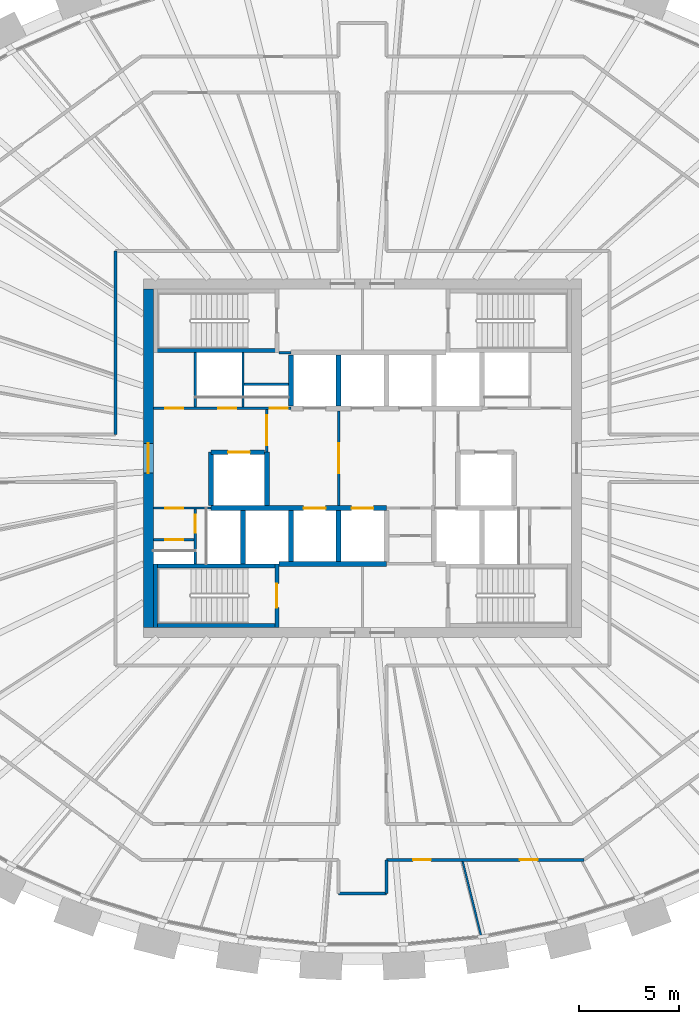
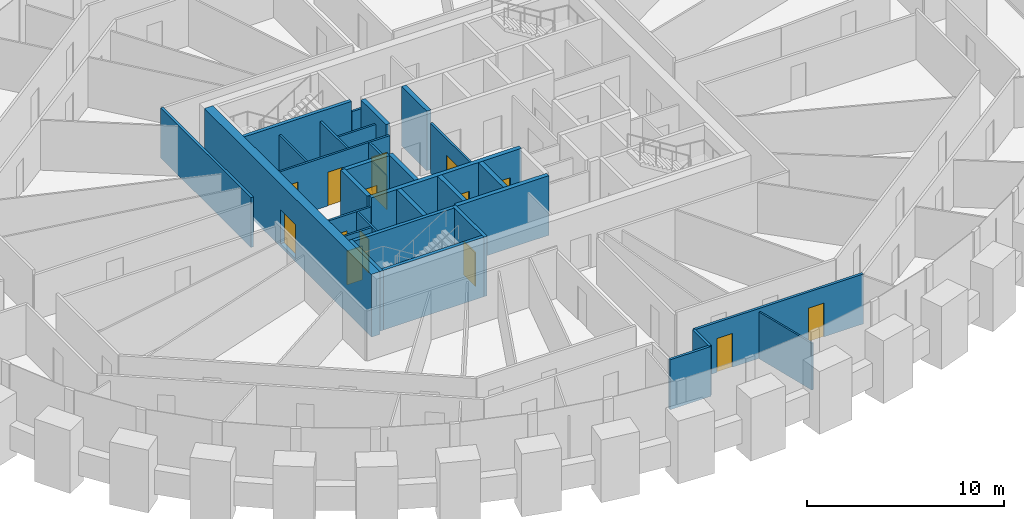
# One storey, part 7 of 12: 31 walls, 15 doors, 15 openings.
"""IFC4 building model written with IfcOpenShell, lengths in metres."""

from ifc_helpers import new_model, si_unit, direction, frame, frame_2d, origin, place, context, subcontext, project, spatial, rectangle, extrude, source, transform, mapped, material, layer, layer_set, type_object, element, fill, save


model = new_model("IFC4")

# Units and contexts
model_context = context("Model", 3, precision=1e-05, world=origin(), true_north=direction((0.0, 1.0)))
body_context = subcontext(model_context, "Body", "Model", "MODEL_VIEW")
ifc_project = project(units=[si_unit("LENGTHUNIT", "METRE"), si_unit("AREAUNIT", "SQUARE_METRE"), si_unit("VOLUMEUNIT", "CUBIC_METRE"), si_unit("PLANEANGLEUNIT", "RADIAN"), si_unit("MASSUNIT", "GRAM", prefix="KILO")], contexts=[model_context])

# Site, building, storey
site_placement = place(None, origin())
site = spatial("IfcSite", under=ifc_project, at=site_placement, CompositionType="ELEMENT")
building_placement = place(site_placement, origin())
building = spatial("IfcBuilding", under=site, at=building_placement, Name="Embergate Tower", CompositionType="ELEMENT")
storey_placement = place(building_placement, frame((0.0, 0.0, 261.699951171875)))
storey = spatial("IfcBuildingStorey", under=building, at=storey_placement, Name="L60", CompositionType="ELEMENT", Elevation=261.699951171875)

# Wall, opening, door
ifc_material_1 = material(Name="Concrete C50", Category="concrete")
ifc_layer_1 = layer(ifc_material_1, 0.5)
ifc_layer_set_1 = layer_set([ifc_layer_1], Name="Concrete C50")
wall_type_1 = type_object("IfcWallType", Name="Core outer wall C50 500", PredefinedType="SHEAR", material=ifc_layer_set_1)
shared_shape_1 = source(origin(), body_context, "Body", "SweptSolid", [
    extrude(rectangle(XDim=17.0, YDim=0.5, at=frame_2d((8.5, 0.0))), origin(), (0.0, 0.0, 1.0), 3.89990234375),
])
wall_1_placement = place(storey_placement, frame((-10.75, -8.5, -0.199951171875), z_axis=(0.0, 0.0, 1.0), x_axis=(0.0, 1.0, 0.0)))
wall_1 = element("IfcWall", 1, at=wall_1_placement, inside=storey, type_object=wall_type_1, Name="CW-L60-W", PredefinedType="SHEAR", context=body_context, shape_type="MappedRepresentation", body=[
    mapped(shared_shape_1, transform((0.0, 0.0, 0.0))),
])
shared_shape_2 = source(origin(), body_context, "Body", "SweptSolid", [
    extrude(rectangle(XDim=1.5, YDim=2.10009765625, at=frame_2d((0.75, 1.050048828125))), frame((0.0, 0.260009765625, 0.0), z_axis=(0.0, -1.0, 0.0), x_axis=(1.0, 0.0, 0.0)), (0.0, 0.0, 1.0), 0.52001953125),
])
opening_1_placement = place(wall_1_placement, frame((7.75, 0.0, 0.199951171875)))
opening_1 = element("IfcOpeningElement", 2, at=opening_1_placement, cuts=wall_1, Name="Opening IF-3", PredefinedType="OPENING", context=body_context, shape_type="MappedRepresentation", body=[
    mapped(shared_shape_2, transform((0.0, 0.0, 0.0))),
])
ifc_material_2 = material(Name="Lobby fire door pair 1500")
door_type_1 = type_object("IfcDoorType", Name="Lobby fire door pair 1500", OperationType="DOUBLE_DOOR_SINGLE_SWING", PredefinedType="DOOR", material=ifc_material_2)
shared_shape_3 = source(origin(), body_context, "Body", "SweptSolid", [
    extrude(rectangle(XDim=1.5, YDim=2.10009765625, at=frame_2d((0.75, 1.050048828125))), frame((0.0, 0.02490234375, 0.0), z_axis=(0.0, -1.0, 0.0), x_axis=(1.0, 0.0, 0.0)), (0.0, 0.0, 1.0), 0.050048828125),
])
door_1_placement = place(opening_1_placement, origin())
door_1 = element("IfcDoor", 3, at=door_1_placement, inside=storey, type_object=door_type_1, Name="IF-3 door", OperationType="DOUBLE_DOOR_SINGLE_SWING", OverallHeight=2.10009765625, OverallWidth=1.5, PredefinedType="DOOR", context=body_context, shape_type="MappedRepresentation", body=[
    mapped(shared_shape_3, transform((0.0, 0.0, 0.0))),
])
fill(opening_1, door_1)

# Walls
ifc_layer_2 = layer(ifc_material_1, 0.25)
ifc_layer_set_2 = layer_set([ifc_layer_2], Name="Concrete C50")
wall_type_2 = type_object("IfcWallType", Name="Hoistway wall reinforced concrete 250", PredefinedType="SHEAR", material=ifc_layer_set_2)
shared_shape_4 = source(origin(), body_context, "Body", "SweptSolid", [
    extrude(rectangle(XDim=2.675048828125, YDim=0.25, at=frame_2d((1.33740234375, 0.0))), origin(), (0.0, 0.0, 1.0), 3.699951171875),
])
for number, where, z_axis, x_axis, name in (
    (4, (-6.0, -5.300048828125, 0.0), (0.0, 0.0, 1.0), (0.0, 1.0, 0.0), "HW-1 wall"),
    (5, (-4.800048828125, 0.300048828125, 0.0), (0.0, 0.0, 1.0), (0.0, -1.0, 0.0), "HW-1 wall"),
):
    element("IfcWall", number, at=place(storey_placement, frame(where, z_axis=z_axis, x_axis=x_axis)), inside=storey, type_object=wall_type_2, Name=name, PredefinedType="SHEAR", context=body_context, shape_type="MappedRepresentation", body=[
        mapped(shared_shape_4, transform((0.0, 0.0, 0.0))),
    ])

# Wall, opening, door
wall_2_placement = place(storey_placement, frame((-4.925048828125, 0.300048828125, 0.0), z_axis=(0.0, 0.0, 1.0), x_axis=(-1.0, 0.0, 0.0)))
wall_2 = element("IfcWall", 6, at=wall_2_placement, inside=storey, type_object=wall_type_2, Name="HW-1 wall", PredefinedType="SHEAR", context=body_context, shape_type="MappedRepresentation", body=[
    mapped(shared_shape_4, transform((0.0, 0.0, 0.0))),
])
shared_shape_5 = source(origin(), body_context, "Body", "SweptSolid", [
    extrude(rectangle(XDim=1.10009765625, YDim=2.10009765625, at=frame_2d((0.550048828125, 1.050048828125))), frame((0.0, 0.135009765625, 0.0), z_axis=(0.0, -1.0, 0.0), x_axis=(1.0, 0.0, 0.0)), (0.0, 0.0, 1.0), 0.27001953125),
])
opening_2_placement = place(wall_2_placement, frame((0.72509765625, 0.0, 0.0)))
opening_2 = element("IfcOpeningElement", 7, at=opening_2_placement, cuts=wall_2, Name="Opening LD", PredefinedType="OPENING", context=body_context, shape_type="MappedRepresentation", body=[
    mapped(shared_shape_5, transform((0.0, 0.0, 0.0))),
])
ifc_material_3 = material(Name="Landing door sliding 1100")
door_type_2 = type_object("IfcDoorType", Name="Landing door sliding 1100", OperationType="SLIDING_TO_LEFT", PredefinedType="DOOR", material=ifc_material_3)
shared_shape_6 = source(origin(), body_context, "Body", "SweptSolid", [
    extrude(rectangle(XDim=1.10009765625, YDim=2.10009765625, at=frame_2d((0.550048828125, 1.050048828125))), frame((0.0, 0.02490234375, 0.0), z_axis=(0.0, -1.0, 0.0), x_axis=(1.0, 0.0, 0.0)), (0.0, 0.0, 1.0), 0.050048828125),
])
door_2_placement = place(opening_2_placement, origin())
door_2 = element("IfcDoor", 8, at=door_2_placement, inside=storey, type_object=door_type_2, Name="LD door", OperationType="SLIDING_TO_LEFT", OverallHeight=2.10009765625, OverallWidth=1.10009765625, PredefinedType="DOOR", context=body_context, shape_type="MappedRepresentation", body=[
    mapped(shared_shape_6, transform((0.0, 0.0, 0.0))),
])
fill(opening_2, door_2)

# Walls
wall_3_placement = place(storey_placement, frame((-7.60009765625, 0.300048828125, 0.0), z_axis=(0.0, 0.0, 1.0), x_axis=(0.0, -1.0, 0.0)))
element("IfcWall", 9, at=wall_3_placement, inside=storey, type_object=wall_type_2, Name="HW-1 wall", PredefinedType="SHEAR", context=body_context, shape_type="MappedRepresentation", body=[
    mapped(shared_shape_4, transform((0.0, 0.0, 0.0))),
])
ifc_layer_3 = layer(ifc_material_1, 0.199951171875)
ifc_layer_set_3 = layer_set([ifc_layer_3], Name="Concrete C50")
wall_type_3 = type_object("IfcWallType", Name="Stair enclosure wall reinforced concrete 250", PredefinedType="SHEAR", material=ifc_layer_set_3)
shared_shape_7 = source(origin(), body_context, "Body", "SweptSolid", [
    extrude(rectangle(XDim=6.300048828125, YDim=0.199951171875, at=frame_2d((3.14990234375, 0.0))), origin(), (0.0, 0.0, 1.0), 3.699951171875),
])
wall_4_placement = place(storey_placement, frame((-10.5, -5.39990234375, 0.0), z_axis=(0.0, 0.0, 1.0), x_axis=(1.0, 0.0, 0.0)))
element("IfcWall", 10, at=wall_4_placement, inside=storey, type_object=wall_type_3, Name="SE-1 wall", PredefinedType="SHEAR", context=body_context, shape_type="MappedRepresentation", body=[
    mapped(shared_shape_7, transform((0.0, 0.0, 0.0))),
])
ifc_material_4 = material(Name="Core partition blockwork 120")
ifc_layer_4 = layer(ifc_material_4, 0.1201171875)
ifc_layer_set_4 = layer_set([ifc_layer_4], Name="Core partition blockwork 120")
wall_type_4 = type_object("IfcWallType", Name="Core partition blockwork 120", PredefinedType="PARTITIONING", material=ifc_layer_set_4)
shared_shape_8 = source(origin(), body_context, "Body", "SweptSolid", [
    extrude(rectangle(XDim=2.739990234375, YDim=0.1201171875, at=frame_2d((1.3701171875, 0.0))), origin(), (0.0, 0.0, 1.0), 3.10009765625),
])
wall_5_placement = place(storey_placement, frame((-8.39990234375, 5.300048828125, 0.0), z_axis=(0.0, 0.0, 1.0), x_axis=(0.0, -1.0, 0.0)))
element("IfcWall", 11, at=wall_5_placement, inside=storey, type_object=wall_type_4, Name="IP-3 wall", PredefinedType="PARTITIONING", context=body_context, shape_type="MappedRepresentation", body=[
    mapped(shared_shape_8, transform((0.0, 0.0, 0.0))),
])

# Wall, opening, door
wall_6_placement = place(storey_placement, frame((-8.39990234375, -2.56005859375, 0.0), z_axis=(0.0, 0.0, 1.0), x_axis=(0.0, -1.0, 0.0)))
wall_6 = element("IfcWall", 12, at=wall_6_placement, inside=storey, type_object=wall_type_4, Name="IP-3 wall", PredefinedType="PARTITIONING", context=body_context, shape_type="MappedRepresentation", body=[
    mapped(shared_shape_8, transform((0.0, 0.0, 0.0))),
])
shared_shape_9 = source(origin(), body_context, "Body", "SweptSolid", [
    extrude(rectangle(XDim=0.89990234375, YDim=2.10009765625, at=frame_2d((0.449951171875, 1.050048828125))), frame((0.0, 0.070068359375, 0.0), z_axis=(0.0, -1.0, 0.0), x_axis=(1.0, 0.0, 0.0)), (0.0, 0.0, 1.0), 0.14013671875),
])
opening_3_placement = place(wall_6_placement, frame((0.2880859375, 0.0, 0.0)))
opening_3 = element("IfcOpeningElement", 13, at=opening_3_placement, cuts=wall_6, Name="Opening ID-1", PredefinedType="OPENING", context=body_context, shape_type="MappedRepresentation", body=[
    mapped(shared_shape_9, transform((0.0, 0.0, 0.0))),
])
ifc_material_5 = material(Name="Interior door 900")
door_type_3 = type_object("IfcDoorType", Name="Interior door 900", OperationType="SINGLE_SWING_LEFT", PredefinedType="DOOR", material=ifc_material_5)
shared_shape_10 = source(origin(), body_context, "Body", "SweptSolid", [
    extrude(rectangle(XDim=0.89990234375, YDim=2.10009765625, at=frame_2d((0.449951171875, 1.050048828125))), frame((0.0, 0.02490234375, 0.0), z_axis=(0.0, -1.0, 0.0), x_axis=(1.0, 0.0, 0.0)), (0.0, 0.0, 1.0), 0.050048828125),
])
door_3_placement = place(opening_3_placement, origin())
door_3 = element("IfcDoor", 14, at=door_3_placement, inside=storey, type_object=door_type_3, Name="ID-1 door", OperationType="SINGLE_SWING_RIGHT", OverallHeight=2.10009765625, OverallWidth=0.89990234375, PredefinedType="DOOR", context=body_context, shape_type="MappedRepresentation", body=[
    mapped(shared_shape_10, transform((0.0, 0.0, 0.0))),
])
fill(opening_3, door_3)

# Walls
shared_shape_11 = source(origin(), body_context, "Body", "SweptSolid", [
    extrude(rectangle(XDim=2.550048828125, YDim=0.25, at=frame_2d((1.27490234375, 0.0))), origin(), (0.0, 0.0, 1.0), 3.699951171875),
])
for number, where, z_axis, x_axis, name in (
    (15, (-1.199951171875, 2.625, 0.0), (0.0, 0.0, 1.0), (0.0, 1.0, 0.0), "HW-1 wall"),
    (16, (-3.60009765625, -5.175048828125, 0.0), (0.0, 0.0, 1.0), (0.0, 1.0, 0.0), "HW-1 wall"),
    (17, (-1.199951171875, -5.175048828125, 0.0), (0.0, 0.0, 1.0), (0.0, 1.0, 0.0), "HW-1 wall"),
):
    element("IfcWall", number, at=place(storey_placement, frame(where, z_axis=z_axis, x_axis=x_axis)), inside=storey, type_object=wall_type_2, Name=name, PredefinedType="SHEAR", context=body_context, shape_type="MappedRepresentation", body=[
        mapped(shared_shape_11, transform((0.0, 0.0, 0.0))),
    ])

# Wall, opening, door
shared_shape_12 = source(origin(), body_context, "Body", "SweptSolid", [
    extrude(rectangle(XDim=4.75, YDim=0.1201171875, at=frame_2d((2.375, 0.0))), origin(), (0.0, 0.0, 1.0), 3.10009765625),
])
wall_7_placement = place(storey_placement, frame((-1.199951171875, -2.375, 0.0), z_axis=(0.0, 0.0, 1.0), x_axis=(0.0, 1.0, 0.0)))
wall_7 = element("IfcWall", 18, at=wall_7_placement, inside=storey, type_object=wall_type_4, Name="IP-3 wall", PredefinedType="PARTITIONING", context=body_context, shape_type="MappedRepresentation", body=[
    mapped(shared_shape_12, transform((0.0, 0.0, 0.0))),
])
shared_shape_13 = source(origin(), body_context, "Body", "SweptSolid", [
    extrude(rectangle(XDim=1.5, YDim=2.10009765625, at=frame_2d((0.75, 1.050048828125))), frame((0.0, 0.070068359375, 0.0), z_axis=(0.0, -1.0, 0.0), x_axis=(1.0, 0.0, 0.0)), (0.0, 0.0, 1.0), 0.14013671875),
])
opening_4_placement = place(wall_7_placement, frame((1.625, 0.0, 0.0)))
opening_4 = element("IfcOpeningElement", 19, at=opening_4_placement, cuts=wall_7, Name="Opening IF-3", PredefinedType="OPENING", context=body_context, shape_type="MappedRepresentation", body=[
    mapped(shared_shape_13, transform((0.0, 0.0, 0.0))),
])
door_4_placement = place(opening_4_placement, origin())
door_4 = element("IfcDoor", 20, at=door_4_placement, inside=storey, type_object=door_type_1, Name="IF-3 door", OperationType="DOUBLE_DOOR_SINGLE_SWING", OverallHeight=2.10009765625, OverallWidth=1.5, PredefinedType="DOOR", context=body_context, shape_type="MappedRepresentation", body=[
    mapped(shared_shape_3, transform((0.0, 0.0, 0.0))),
])
fill(opening_4, door_4)

shared_shape_14 = source(origin(), body_context, "Body", "SweptSolid", [
    extrude(rectangle(XDim=3.199951171875, YDim=0.199951171875, at=frame_2d((1.60009765625, 0.0))), origin(), (0.0, 0.0, 1.0), 3.699951171875),
])
wall_8_placement = place(storey_placement, frame((-4.300048828125, -8.5, 0.0), z_axis=(0.0, 0.0, 1.0), x_axis=(0.0, 1.0, 0.0)))
wall_8 = element("IfcWall", 21, at=wall_8_placement, inside=storey, type_object=wall_type_3, Name="SE-1 wall", PredefinedType="SHEAR", context=body_context, shape_type="MappedRepresentation", body=[
    mapped(shared_shape_14, transform((0.0, 0.0, 0.0))),
])
shared_shape_15 = source(origin(), body_context, "Body", "SweptSolid", [
    extrude(rectangle(XDim=1.199951171875, YDim=2.10009765625, at=frame_2d((0.60009765625, 1.050048828125))), frame((0.0, 0.10986328125, 0.0), z_axis=(0.0, -1.0, 0.0), x_axis=(1.0, 0.0, 0.0)), (0.0, 0.0, 1.0), 0.219970703125),
])
opening_5_placement = place(wall_8_placement, frame((1.0, 0.0, 0.0)))
opening_5 = element("IfcOpeningElement", 22, at=opening_5_placement, cuts=wall_8, Name="Opening IF-2", PredefinedType="OPENING", context=body_context, shape_type="MappedRepresentation", body=[
    mapped(shared_shape_15, transform((0.0, 0.0, 0.0))),
])
ifc_material_6 = material(Name="Stair enclosure door 1200")
door_type_4 = type_object("IfcDoorType", Name="Stair enclosure door 1200", OperationType="SINGLE_SWING_LEFT", PredefinedType="DOOR", material=ifc_material_6)
shared_shape_16 = source(origin(), body_context, "Body", "SweptSolid", [
    extrude(rectangle(XDim=1.199951171875, YDim=2.10009765625, at=frame_2d((0.60009765625, 1.050048828125))), frame((0.0, 0.02490234375, 0.0), z_axis=(0.0, -1.0, 0.0), x_axis=(1.0, 0.0, 0.0)), (0.0, 0.0, 1.0), 0.050048828125),
])
door_5_placement = place(opening_5_placement, origin())
door_5 = element("IfcDoor", 23, at=door_5_placement, inside=storey, type_object=door_type_4, Name="IF-2 door", OperationType="SINGLE_SWING_LEFT", OverallHeight=2.10009765625, OverallWidth=1.199951171875, PredefinedType="DOOR", context=body_context, shape_type="MappedRepresentation", body=[
    mapped(shared_shape_16, transform((0.0, 0.0, 0.0))),
])
fill(opening_5, door_5)

# Wall, openings, doors
shared_shape_17 = source(origin(), body_context, "Body", "SweptSolid", [
    extrude(rectangle(XDim=8.800048828125, YDim=0.25, at=frame_2d((4.39990234375, 0.0))), origin(), (0.0, 0.0, 1.0), 3.699951171875),
])
wall_9_placement = place(storey_placement, frame((1.199951171875, -2.5, 0.0), z_axis=(0.0, 0.0, 1.0), x_axis=(-1.0, 0.0, 0.0)))
wall_9 = element("IfcWall", 24, at=wall_9_placement, inside=storey, type_object=wall_type_2, Name="HW-1 wall", PredefinedType="SHEAR", context=body_context, shape_type="MappedRepresentation", body=[
    mapped(shared_shape_17, transform((0.0, 0.0, 0.0))),
])
opening_6_placement = place(wall_9_placement, frame((3.050048828125, 0.0, 0.0)))
opening_6 = element("IfcOpeningElement", 25, at=opening_6_placement, cuts=wall_9, Name="Opening LD", PredefinedType="OPENING", context=body_context, shape_type="MappedRepresentation", body=[
    mapped(shared_shape_5, transform((0.0, 0.0, 0.0))),
])
opening_7_placement = place(wall_9_placement, frame((0.64990234375, 0.0, 0.0)))
opening_7 = element("IfcOpeningElement", 26, at=opening_7_placement, cuts=wall_9, Name="Opening LD", PredefinedType="OPENING", context=body_context, shape_type="MappedRepresentation", body=[
    mapped(shared_shape_5, transform((0.0, 0.0, 0.0))),
])
door_6_placement = place(opening_6_placement, origin())
door_6 = element("IfcDoor", 27, at=door_6_placement, inside=storey, type_object=door_type_2, Name="LD door", OperationType="SLIDING_TO_LEFT", OverallHeight=2.10009765625, OverallWidth=1.10009765625, PredefinedType="DOOR", context=body_context, shape_type="MappedRepresentation", body=[
    mapped(shared_shape_6, transform((0.0, 0.0, 0.0))),
])
fill(opening_6, door_6)
door_7_placement = place(opening_7_placement, origin())
door_7 = element("IfcDoor", 28, at=door_7_placement, inside=storey, type_object=door_type_2, Name="LD door", OperationType="SLIDING_TO_LEFT", OverallHeight=2.10009765625, OverallWidth=1.10009765625, PredefinedType="DOOR", context=body_context, shape_type="MappedRepresentation", body=[
    mapped(shared_shape_6, transform((0.0, 0.0, 0.0))),
])
fill(opening_7, door_7)

# Walls
shared_shape_18 = source(origin(), body_context, "Body", "SweptSolid", [
    extrude(rectangle(XDim=5.39990234375, YDim=0.25, at=frame_2d((2.699951171875, 0.0))), origin(), (0.0, 0.0, 1.0), 3.699951171875),
])
wall_10_placement = place(storey_placement, frame((-4.199951171875, -5.300048828125, 0.0), z_axis=(0.0, 0.0, 1.0), x_axis=(1.0, 0.0, 0.0)))
element("IfcWall", 29, at=wall_10_placement, inside=storey, type_object=wall_type_2, Name="HW-1 wall", PredefinedType="SHEAR", context=body_context, shape_type="MappedRepresentation", body=[
    mapped(shared_shape_18, transform((0.0, 0.0, 0.0))),
])
shared_shape_19 = source(origin(), body_context, "Body", "SweptSolid", [
    extrude(rectangle(XDim=6.298095703125, YDim=0.199951171875, at=frame_2d((3.14892578125, 0.0))), origin(), (0.0, 0.0, 1.0), 3.699951171875),
])
for number, where, z_axis, x_axis, name in (
    (30, (-4.201904296875, 5.39990234375, 0.0), (0.0, 0.0, 1.0), (-1.0, 0.0, 0.0), "SE-1 wall"),
    (31, (-10.5, -8.39990234375, 0.0), (0.0, 0.0, 1.0), (1.0, 0.0, 0.0), "SE-1 wall"),
):
    element("IfcWall", number, at=place(storey_placement, frame(where, z_axis=z_axis, x_axis=x_axis)), inside=storey, type_object=wall_type_3, Name=name, PredefinedType="SHEAR", context=body_context, shape_type="MappedRepresentation", body=[
        mapped(shared_shape_19, transform((0.0, 0.0, 0.0))),
    ])
shared_shape_20 = source(origin(), body_context, "Body", "SweptSolid", [
    extrude(rectangle(XDim=3.197998046875, YDim=0.199951171875, at=frame_2d((1.59912109375, 0.0))), origin(), (0.0, 0.0, 1.0), 3.699951171875),
])
wall_11_placement = place(storey_placement, frame((-10.39990234375, -5.302001953125, 0.0), z_axis=(0.0, 0.0, 1.0), x_axis=(0.0, -1.0, 0.0)))
element("IfcWall", 32, at=wall_11_placement, inside=storey, type_object=wall_type_3, Name="SE-1 wall", PredefinedType="SHEAR", context=body_context, shape_type="MappedRepresentation", body=[
    mapped(shared_shape_20, transform((0.0, 0.0, 0.0))),
])
ifc_material_7 = material(Name="Corridor wall dry-lined 150")
ifc_layer_5 = layer(ifc_material_7, 0.14990234375)
ifc_layer_set_5 = layer_set([ifc_layer_5], Name="Corridor wall dry-lined 150")
wall_type_5 = type_object("IfcWallType", Name="Corridor wall dry-lined 150", PredefinedType="PARTITIONING", material=ifc_layer_set_5)
shared_shape_21 = source(origin(), body_context, "Body", "SweptSolid", [
    extrude(rectangle(XDim=9.199951171875, YDim=0.14990234375, at=frame_2d((4.60009765625, 0.0))), origin(), (0.0, 0.0, 1.0), 3.10009765625),
])
wall_12_placement = place(storey_placement, frame((-12.39990234375, 10.39990234375, 0.0), z_axis=(0.0, 0.0, 1.0), x_axis=(0.0, -1.0, 0.0)))
element("IfcWall", 33, at=wall_12_placement, inside=storey, type_object=wall_type_5, Name="IP-2 wall", PredefinedType="PARTITIONING", context=body_context, shape_type="MappedRepresentation", body=[
    mapped(shared_shape_21, transform((0.0, 0.0, 0.0))),
])
ifc_material_8 = material(Name="Corridor wall dry-lined 150 wet")
ifc_layer_6 = layer(ifc_material_8, 0.14990234375)
ifc_layer_set_6 = layer_set([ifc_layer_6], Name="Corridor wall dry-lined 150 wet")
wall_type_6 = type_object("IfcWallType", Name="Corridor wall dry-lined 150 wet", PredefinedType="PLUMBINGWALL", material=ifc_layer_set_6)
shared_shape_22 = source(origin(), body_context, "Body", "SweptSolid", [
    extrude(rectangle(XDim=2.39990234375, YDim=0.14990234375, at=frame_2d((1.199951171875, 0.0))), origin(), (0.0, 0.0, 1.0), 3.10009765625),
])
wall_13_placement = place(storey_placement, frame((1.199951171875, -21.845947265625, 0.0), z_axis=(0.0, 0.0, 1.0), x_axis=(-1.0, 0.0, 0.0)))
element("IfcWall", 34, at=wall_13_placement, inside=storey, type_object=wall_type_6, Name="IP-2 wall", PredefinedType="PLUMBINGWALL", context=body_context, shape_type="MappedRepresentation", body=[
    mapped(shared_shape_22, transform((0.0, 0.0, 0.0))),
])
shared_shape_23 = source(origin(), body_context, "Body", "SweptSolid", [
    extrude(rectangle(XDim=2.738037109375, YDim=0.1201171875, at=frame_2d((1.369140625, 0.0))), origin(), (0.0, 0.0, 1.0), 3.10009765625),
])
wall_14_placement = place(storey_placement, frame((-6.0, 2.56005859375, 0.0), z_axis=(0.0, 0.0, 1.0), x_axis=(0.0, 1.0, 0.0)))
element("IfcWall", 35, at=wall_14_placement, inside=storey, type_object=wall_type_4, Name="IP-3 wall", PredefinedType="PARTITIONING", context=body_context, shape_type="MappedRepresentation", body=[
    mapped(shared_shape_23, transform((0.0, 0.0, 0.0))),
])

# Wall, opening, door
shared_shape_24 = source(origin(), body_context, "Body", "SweptSolid", [
    extrude(rectangle(XDim=2.89990234375, YDim=0.1201171875, at=frame_2d((1.449951171875, 0.0))), origin(), (0.0, 0.0, 1.0), 3.10009765625),
])
wall_15_placement = place(storey_placement, frame((-7.60009765625, -2.5, 0.0), z_axis=(0.0, 0.0, 1.0), x_axis=(-1.0, 0.0, 0.0)))
wall_15 = element("IfcWall", 36, at=wall_15_placement, inside=storey, type_object=wall_type_4, Name="IP-3 wall", PredefinedType="PARTITIONING", context=body_context, shape_type="MappedRepresentation", body=[
    mapped(shared_shape_24, transform((0.0, 0.0, 0.0))),
])
opening_8_placement = place(wall_15_placement, frame((1.39990234375, 0.0, 0.0)))
opening_8 = element("IfcOpeningElement", 37, at=opening_8_placement, cuts=wall_15, Name="Opening ID-1", PredefinedType="OPENING", context=body_context, shape_type="MappedRepresentation", body=[
    mapped(shared_shape_9, transform((0.0, 0.0, 0.0))),
])
door_8_placement = place(opening_8_placement, origin())
door_8 = element("IfcDoor", 38, at=door_8_placement, inside=storey, type_object=door_type_3, Name="ID-1 door", OperationType="SINGLE_SWING_RIGHT", OverallHeight=2.10009765625, OverallWidth=0.89990234375, PredefinedType="DOOR", context=body_context, shape_type="MappedRepresentation", body=[
    mapped(shared_shape_10, transform((0.0, 0.0, 0.0))),
])
fill(opening_8, door_8)

shared_shape_25 = source(origin(), body_context, "Body", "SweptSolid", [
    extrude(rectangle(XDim=2.139892578125, YDim=0.1201171875, at=frame_2d((1.06982421875, 0.0))), origin(), (0.0, 0.0, 1.0), 3.10009765625),
])
wall_16_placement = place(storey_placement, frame((-4.800048828125, 2.43994140625, 0.0), z_axis=(0.0, 0.0, 1.0), x_axis=(0.0, -1.0, 0.0)))
wall_16 = element("IfcWall", 39, at=wall_16_placement, inside=storey, type_object=wall_type_4, Name="IP-3 wall", PredefinedType="PARTITIONING", context=body_context, shape_type="MappedRepresentation", body=[
    mapped(shared_shape_25, transform((0.0, 0.0, 0.0))),
])
opening_9_placement = place(wall_16_placement, frame((0.2900390625, 0.0, 0.0)))
opening_9 = element("IfcOpeningElement", 40, at=opening_9_placement, cuts=wall_16, Name="Opening IF-3", PredefinedType="OPENING", context=body_context, shape_type="MappedRepresentation", body=[
    mapped(shared_shape_13, transform((0.0, 0.0, 0.0))),
])
door_9_placement = place(opening_9_placement, origin())
door_9 = element("IfcDoor", 41, at=door_9_placement, inside=storey, type_object=door_type_1, Name="IF-3 door", OperationType="DOUBLE_DOOR_SINGLE_SWING", OverallHeight=2.10009765625, OverallWidth=1.5, PredefinedType="DOOR", context=body_context, shape_type="MappedRepresentation", body=[
    mapped(shared_shape_3, transform((0.0, 0.0, 0.0))),
])
fill(opening_9, door_9)

# Wall
shared_shape_26 = source(origin(), body_context, "Body", "SweptSolid", [
    extrude(rectangle(XDim=2.548095703125, YDim=0.25, at=frame_2d((1.27392578125, 0.0))), origin(), (0.0, 0.0, 1.0), 3.699951171875),
])
wall_17_placement = place(storey_placement, frame((-3.60009765625, 5.173095703125, 0.0), z_axis=(0.0, 0.0, 1.0), x_axis=(0.0, -1.0, 0.0)))
element("IfcWall", 42, at=wall_17_placement, inside=storey, type_object=wall_type_2, Name="HW-1 wall", PredefinedType="SHEAR", context=body_context, shape_type="MappedRepresentation", body=[
    mapped(shared_shape_26, transform((0.0, 0.0, 0.0))),
])

# Wall, openings, doors
shared_shape_27 = source(origin(), body_context, "Body", "SweptSolid", [
    extrude(rectangle(XDim=9.926025390625, YDim=0.14990234375, at=frame_2d((4.962890625, 0.0))), origin(), (0.0, 0.0, 1.0), 3.10009765625),
])
wall_18_placement = place(storey_placement, frame((11.1259765625, -20.158935546875, 0.0), z_axis=(0.0, 0.0, 1.0), x_axis=(-1.0, 0.0, 0.0)))
wall_18 = element("IfcWall", 43, at=wall_18_placement, inside=storey, type_object=wall_type_6, Name="IP-2 wall", PredefinedType="PLUMBINGWALL", context=body_context, shape_type="MappedRepresentation", body=[
    mapped(shared_shape_27, transform((0.0, 0.0, 0.0))),
])
shared_shape_28 = source(origin(), body_context, "Body", "SweptSolid", [
    extrude(rectangle(XDim=0.89990234375, YDim=2.10009765625, at=frame_2d((0.449951171875, 1.050048828125))), frame((0.0, 0.0849609375, 0.0), z_axis=(0.0, -1.0, 0.0), x_axis=(1.0, 0.0, 0.0)), (0.0, 0.0, 1.0), 0.169921875),
])
opening_10_placement = place(wall_18_placement, frame((7.688720703125, 0.0, 0.0)))
opening_10 = element("IfcOpeningElement", 44, at=opening_10_placement, cuts=wall_18, Name="Opening IF-1c", PredefinedType="OPENING", context=body_context, shape_type="MappedRepresentation", body=[
    mapped(shared_shape_28, transform((0.0, 0.0, 0.0))),
])
opening_11_placement = place(wall_18_placement, frame((2.32861328125, 0.0, 0.0)))
opening_11 = element("IfcOpeningElement", 45, at=opening_11_placement, cuts=wall_18, Name="Opening IF-1c", PredefinedType="OPENING", context=body_context, shape_type="MappedRepresentation", body=[
    mapped(shared_shape_28, transform((0.0, 0.0, 0.0))),
])
ifc_material_9 = material(Name="Escape fire door 900")
door_type_5 = type_object("IfcDoorType", Name="Escape fire door 900", OperationType="SINGLE_SWING_LEFT", PredefinedType="DOOR", material=ifc_material_9)
door_10_placement = place(opening_10_placement, origin())
door_10 = element("IfcDoor", 46, at=door_10_placement, inside=storey, type_object=door_type_5, Name="IF-1 door", OperationType="SINGLE_SWING_LEFT", OverallHeight=2.10009765625, OverallWidth=0.89990234375, PredefinedType="DOOR", context=body_context, shape_type="MappedRepresentation", body=[
    mapped(shared_shape_10, transform((0.0, 0.0, 0.0))),
])
fill(opening_10, door_10)
door_11_placement = place(opening_11_placement, origin())
door_11 = element("IfcDoor", 47, at=door_11_placement, inside=storey, type_object=door_type_5, Name="IF-1 door", OperationType="SINGLE_SWING_LEFT", OverallHeight=2.10009765625, OverallWidth=0.89990234375, PredefinedType="DOOR", context=body_context, shape_type="MappedRepresentation", body=[
    mapped(shared_shape_10, transform((0.0, 0.0, 0.0))),
])
fill(opening_11, door_11)

# Walls
shared_shape_29 = source(origin(), body_context, "Body", "SweptSolid", [
    extrude(rectangle(XDim=1.68701171875, YDim=0.14990234375, at=frame_2d((0.843505859375, 0.0))), origin(), (0.0, 0.0, 1.0), 3.10009765625),
])
wall_19_placement = place(storey_placement, frame((1.199951171875, -20.158935546875, 0.0), z_axis=(0.0, 0.0, 1.0), x_axis=(0.0, -1.0, 0.0)))
element("IfcWall", 48, at=wall_19_placement, inside=storey, type_object=wall_type_6, Name="IP-2 wall", PredefinedType="PLUMBINGWALL", context=body_context, shape_type="MappedRepresentation", body=[
    mapped(shared_shape_29, transform((0.0, 0.0, 0.0))),
])
ifc_material_10 = material(Name="Partition dry-lined 100 wet")
ifc_layer_7 = layer(ifc_material_10, 0.10009765625)
ifc_layer_set_7 = layer_set([ifc_layer_7], Name="Partition dry-lined 100 wet")
wall_type_7 = type_object("IfcWallType", Name="Partition dry-lined 100 wet", PredefinedType="PLUMBINGWALL", material=ifc_layer_set_7)
shared_shape_30 = source(origin(), body_context, "Body", "SweptSolid", [
    extrude(rectangle(XDim=3.882080078125, YDim=0.10009765625, at=frame_2d((1.94091796875, 0.0))), origin(), (0.0, 0.0, 1.0), 2.900146484375),
])
wall_20_placement = place(storey_placement, frame((5.027099609375, -20.24609375, 0.0), z_axis=(0.0, 0.0, 1.0), x_axis=(0.240803927653, -0.970573783093, 0.0)))
element("IfcWall", 49, at=wall_20_placement, inside=storey, type_object=wall_type_7, Name="IP-1 wall", PredefinedType="PLUMBINGWALL", context=body_context, shape_type="MappedRepresentation", body=[
    mapped(shared_shape_30, transform((0.0, 0.0, 0.0))),
])

# Wall, openings, doors
shared_shape_31 = source(origin(), body_context, "Body", "SweptSolid", [
    extrude(rectangle(XDim=6.89990234375, YDim=0.1201171875, at=frame_2d((3.449951171875, 0.0))), origin(), (0.0, 0.0, 1.0), 3.10009765625),
])
wall_21_placement = place(storey_placement, frame((-10.5, 2.5, 0.0), z_axis=(0.0, 0.0, 1.0), x_axis=(1.0, 0.0, 0.0)))
wall_21 = element("IfcWall", 50, at=wall_21_placement, inside=storey, type_object=wall_type_4, Name="IP-3 wall", PredefinedType="PARTITIONING", context=body_context, shape_type="MappedRepresentation", body=[
    mapped(shared_shape_31, transform((0.0, 0.0, 0.0))),
])
opening_12_placement = place(wall_21_placement, frame((3.25, 0.0, 0.0)))
opening_12 = element("IfcOpeningElement", 51, at=opening_12_placement, cuts=wall_21, Name="Opening ID-1", PredefinedType="OPENING", context=body_context, shape_type="MappedRepresentation", body=[
    mapped(shared_shape_9, transform((0.0, 0.0, 0.0))),
])
opening_13_placement = place(wall_21_placement, frame((5.85009765625, 0.0, 0.0)))
opening_13 = element("IfcOpeningElement", 52, at=opening_13_placement, cuts=wall_21, Name="Opening ID-1", PredefinedType="OPENING", context=body_context, shape_type="MappedRepresentation", body=[
    mapped(shared_shape_9, transform((0.0, 0.0, 0.0))),
])
opening_14_placement = place(wall_21_placement, frame((0.60009765625, 0.0, 0.0)))
opening_14 = element("IfcOpeningElement", 53, at=opening_14_placement, cuts=wall_21, Name="Opening ID-1", PredefinedType="OPENING", context=body_context, shape_type="MappedRepresentation", body=[
    mapped(shared_shape_9, transform((0.0, 0.0, 0.0))),
])
door_12_placement = place(opening_12_placement, origin())
door_12 = element("IfcDoor", 54, at=door_12_placement, inside=storey, type_object=door_type_3, Name="ID-1 door", OperationType="SINGLE_SWING_RIGHT", OverallHeight=2.10009765625, OverallWidth=0.89990234375, PredefinedType="DOOR", context=body_context, shape_type="MappedRepresentation", body=[
    mapped(shared_shape_10, transform((0.0, 0.0, 0.0))),
])
fill(opening_12, door_12)
door_13_placement = place(opening_13_placement, origin())
door_13 = element("IfcDoor", 55, at=door_13_placement, inside=storey, type_object=door_type_3, Name="ID-1 door", OperationType="SINGLE_SWING_LEFT", OverallHeight=2.10009765625, OverallWidth=0.89990234375, PredefinedType="DOOR", context=body_context, shape_type="MappedRepresentation", body=[
    mapped(shared_shape_10, transform((0.0, 0.0, 0.0))),
])
fill(opening_13, door_13)
door_14_placement = place(opening_14_placement, origin())
door_14 = element("IfcDoor", 56, at=door_14_placement, inside=storey, type_object=door_type_3, Name="ID-1 door", OperationType="SINGLE_SWING_LEFT", OverallHeight=2.10009765625, OverallWidth=0.89990234375, PredefinedType="DOOR", context=body_context, shape_type="MappedRepresentation", body=[
    mapped(shared_shape_10, transform((0.0, 0.0, 0.0))),
])
fill(opening_14, door_14)

# Wall, opening, door
shared_shape_32 = source(origin(), body_context, "Body", "SweptSolid", [
    extrude(rectangle(XDim=2.0400390625, YDim=0.1201171875, at=frame_2d((1.02001953125, 0.0))), origin(), (0.0, 0.0, 1.0), 3.10009765625),
])
wall_22_placement = place(storey_placement, frame((-8.4599609375, -4.095947265625, 0.0), z_axis=(0.0, 0.0, 1.0), x_axis=(-1.0, 0.0, 0.0)))
wall_22 = element("IfcWall", 57, at=wall_22_placement, inside=storey, type_object=wall_type_4, Name="IP-3 wall", PredefinedType="PARTITIONING", context=body_context, shape_type="MappedRepresentation", body=[
    mapped(shared_shape_32, transform((0.0, 0.0, 0.0))),
])
opening_15_placement = place(wall_22_placement, frame((0.5400390625, 0.0, 0.0)))
opening_15 = element("IfcOpeningElement", 58, at=opening_15_placement, cuts=wall_22, Name="Opening ID-1", PredefinedType="OPENING", context=body_context, shape_type="MappedRepresentation", body=[
    mapped(shared_shape_9, transform((0.0, 0.0, 0.0))),
])
door_15_placement = place(opening_15_placement, origin())
door_15 = element("IfcDoor", 59, at=door_15_placement, inside=storey, type_object=door_type_3, Name="ID-1 door", OperationType="SINGLE_SWING_RIGHT", OverallHeight=2.10009765625, OverallWidth=0.89990234375, PredefinedType="DOOR", context=body_context, shape_type="MappedRepresentation", body=[
    mapped(shared_shape_10, transform((0.0, 0.0, 0.0))),
])
fill(opening_15, door_15)

# Walls
shared_shape_33 = source(origin(), body_context, "Body", "SweptSolid", [
    extrude(rectangle(XDim=0.595947265625, YDim=0.1201171875, at=frame_2d((0.2978515625, 0.0))), origin(), (0.0, 0.0, 1.0), 3.10009765625),
])
wall_23_placement = place(storey_placement, frame((-4.197998046875, 5.300048828125, 0.0), z_axis=(0.0, 0.0, 1.0), x_axis=(1.0, 0.0, 0.0)))
element("IfcWall", 60, at=wall_23_placement, inside=storey, type_object=wall_type_4, Name="IP-3 wall", PredefinedType="PARTITIONING", context=body_context, shape_type="MappedRepresentation", body=[
    mapped(shared_shape_33, transform((0.0, 0.0, 0.0))),
])
shared_shape_34 = source(origin(), body_context, "Body", "SweptSolid", [
    extrude(rectangle(XDim=2.2109375, YDim=0.1201171875, at=frame_2d((1.10546875, 0.0))), origin(), (0.0, 0.0, 1.0), 3.10009765625),
])
wall_24_placement = place(storey_placement, frame((-3.72705078125, 3.7041015625, 0.0), z_axis=(0.0, 0.0, 1.0), x_axis=(-1.0, 0.0, 0.0)))
element("IfcWall", 61, at=wall_24_placement, inside=storey, type_object=wall_type_4, Name="IP-3 wall", PredefinedType="PARTITIONING", context=body_context, shape_type="MappedRepresentation", body=[
    mapped(shared_shape_34, transform((0.0, 0.0, 0.0))),
])

save(model, "model.ifc")
